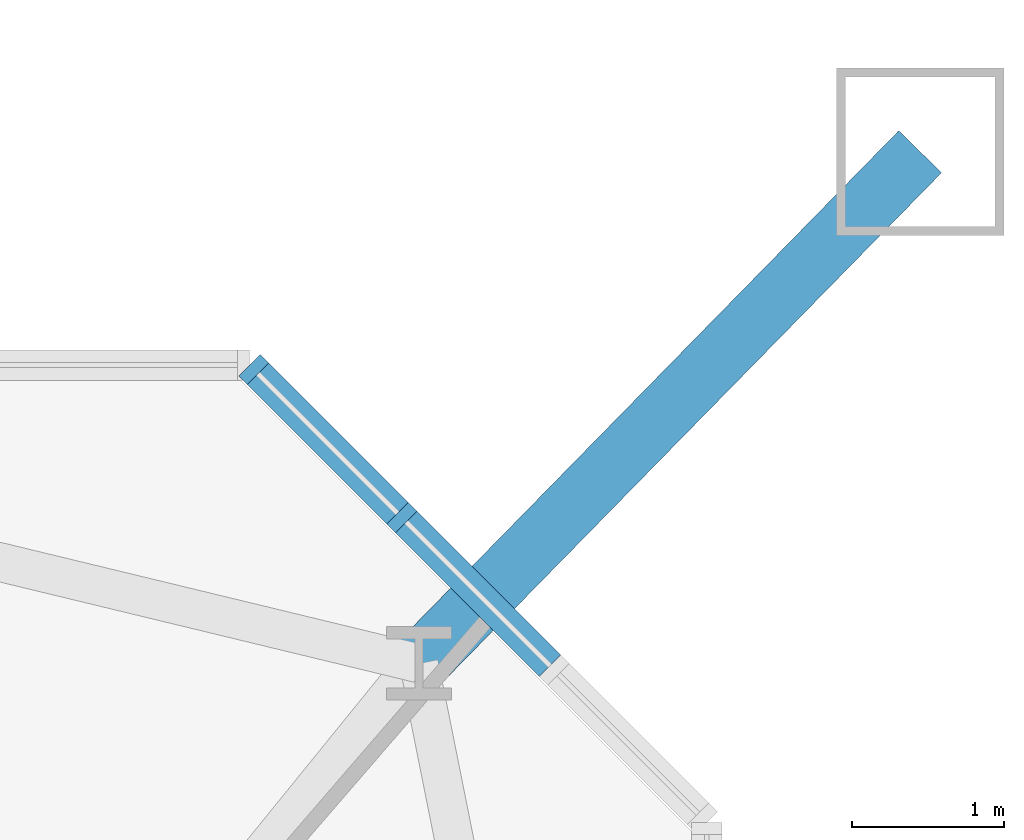
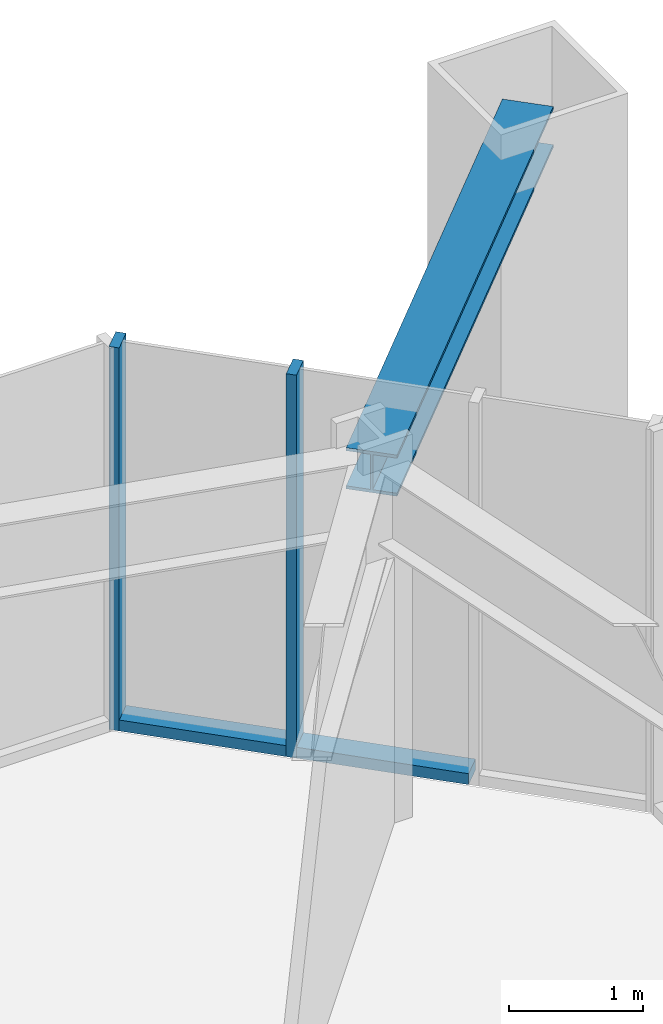
# One storey, part 10 of 25: 5 members, 1 element without a shape of its own.
"""IFC4 building model written with IfcOpenShell, lengths in metres."""

from ifc_helpers import new_model, si_unit, direction, frame, origin, origin_2d, place, context, subcontext, project, spatial, rectangle, i_section, extrude, material, material_profile, profile_set, type_object, element, aggregate, save


model = new_model("IFC4")

# Units and contexts
model_context = context("Model", 3, precision=1e-05, world=origin(), true_north=direction((0.0, 1.0)))
body_context = subcontext(model_context, "Body", "Model", "MODEL_VIEW")
ifc_project = project(units=[si_unit("LENGTHUNIT", "METRE"), si_unit("AREAUNIT", "SQUARE_METRE"), si_unit("VOLUMEUNIT", "CUBIC_METRE"), si_unit("PLANEANGLEUNIT", "RADIAN"), si_unit("MASSUNIT", "GRAM", prefix="KILO")], contexts=[model_context])

# Site, building, storey
site_placement = place(None, origin())
site = spatial("IfcSite", under=ifc_project, at=site_placement, CompositionType="ELEMENT")
building_placement = place(site_placement, origin())
building = spatial("IfcBuilding", under=site, at=building_placement, Name="Iwan Alto Co-Living Towers", CompositionType="ELEMENT")
storey_placement = place(building_placement, frame((0.0, 0.0, 112.0)))
storey = spatial("IfcBuildingStorey", under=building, at=storey_placement, Name="L30", CompositionType="ELEMENT", Elevation=112.0)

# Curtain wall, members
ifc_material_1 = material(Name="Bronze aluminium unitised frame", Category="aluminium")
curtain_wall_type = type_object("IfcCurtainWallType", Name="CURTAIN WALL CW-D", PredefinedType="NOTDEFINED", material=ifc_material_1)
curtain_wall_placement = place(storey_placement, origin())
curtain_wall = element("IfcCurtainWall", 1, at=curtain_wall_placement, inside=storey, type_object=curtain_wall_type, Name="T2 chamfer curtain wall NE L30", PredefinedType="NOTDEFINED")
ifc_material_2 = material(Name="Aluminium 6063-T6 bronze anodised", Category="aluminium")
ifc_material_profile_1 = material_profile(ifc_material_2, rectangle(XDim=0.199951171875, YDim=0.080078125, at=origin_2d()), Name="AL 80X200")
ifc_profile_set_1 = profile_set([ifc_material_profile_1], Name="Aluminium 6063-T6 bronze anodised")
member_type_1 = type_object("IfcMemberType", Name="CW-D MULLION 80X200", PredefinedType="MULLION", material=ifc_profile_set_1)
member_1_placement = place(storey_placement, frame((75.25, 15.5, 0.0), z_axis=(0.0, 0.0, 1.0), x_axis=(-0.707106781187, -0.707106781187, 0.0)))
member_1 = element("IfcMember", 2, at=member_1_placement, type_object=member_type_1, Name="CW-D mullion 3", PredefinedType="MULLION", context=body_context, shape_type="SweptSolid", body=[
    extrude(rectangle(XDim=0.199951171875, YDim=0.080078125, at=origin_2d()), origin(), (0.0, 0.0, 1.0), 3.5),
])
member_2_placement = place(storey_placement, frame((74.2783203125, 16.4716796875, 0.0), z_axis=(0.0, 0.0, 1.0), x_axis=(-0.707106781187, -0.707106781187, 0.0)))
member_2 = element("IfcMember", 3, at=member_2_placement, type_object=member_type_1, Name="CW-D mullion 4", PredefinedType="MULLION", context=body_context, shape_type="SweptSolid", body=[
    extrude(rectangle(XDim=0.199951171875, YDim=0.080078125, at=origin_2d()), origin(), (0.0, 0.0, 1.0), 3.5),
])
ifc_material_3 = material(Name="Aluminium 6063-T6 bronze anodised", Category="aluminium")
ifc_material_profile_2 = material_profile(ifc_material_3, rectangle(XDim=0.199951171875, YDim=0.10009765625, at=origin_2d()), Name="AL 200X100")
ifc_profile_set_2 = profile_set([ifc_material_profile_2], Name="Aluminium 6063-T6 bronze anodised")
member_type_2 = type_object("IfcMemberType", Name="CW-D TRANSOM 200X100", PredefinedType="USERDEFINED", material=ifc_profile_set_2)
member_3_placement = place(storey_placement, frame((76.2216796875, 14.5283203125, 0.050048828125), z_axis=(-0.707106781187, 0.707106781187, 0.0), x_axis=(-0.707106781187, -0.707106781187, 0.0)))
member_3 = element("IfcMember", 4, at=member_3_placement, type_object=member_type_2, Name="CW-D transom 2.1", ObjectType="TRANSOM", PredefinedType="USERDEFINED", context=body_context, shape_type="SweptSolid", body=[
    extrude(rectangle(XDim=0.199951171875, YDim=0.10009765625, at=origin_2d()), origin(), (0.0, 0.0, 1.0), 1.334228515625),
])
member_4_placement = place(storey_placement, frame((75.2216796875, 15.5283203125, 0.050048828125), z_axis=(-0.707106781187, 0.707106781187, 0.0), x_axis=(-0.707106781187, -0.707106781187, 0.0)))
member_4 = element("IfcMember", 5, at=member_4_placement, type_object=member_type_2, Name="CW-D transom 3.1", ObjectType="TRANSOM", PredefinedType="USERDEFINED", context=body_context, shape_type="SweptSolid", body=[
    extrude(rectangle(XDim=0.199951171875, YDim=0.10009765625, at=origin_2d()), origin(), (0.0, 0.0, 1.0), 1.2939453125),
])
aggregate(curtain_wall, [member_1, member_2, member_3, member_4])

# Member
ifc_material_4 = material(Name="Steel ASTM A992 Gr 50", Category="steel")
ifc_material_profile_3 = material_profile(ifc_material_4, i_section(OverallWidth=0.393798828125, OverallDepth=0.3759765625, WebThickness=0.017333984375, FlangeThickness=0.027587890625, at=origin_2d()), Name="W14X145")
ifc_profile_set_3 = profile_set([ifc_material_profile_3], Name="Steel ASTM A992 Gr 50")
member_type_3 = type_object("IfcMemberType", Name="T2 MEGA COLUMN FLOOR TIE W14X145", PredefinedType="STRUT", material=ifc_profile_set_3)
member_5_placement = place(storey_placement, frame((78.64990234375, 17.89990234375, 3.08203125), z_axis=(-0.699770096147, -0.714368121166, 0.0), x_axis=(0.714368121166, -0.699770096147, 0.0)))
element("IfcMember", 6, at=member_5_placement, inside=storey, type_object=member_type_3, Name="T2 mega column floor tie NE L31", PredefinedType="STRUT", context=body_context, shape_type="SweptSolid", body=[
    extrude(i_section(OverallWidth=0.393798828125, OverallDepth=0.3759765625, WebThickness=0.017333984375, FlangeThickness=0.027587890625, at=origin_2d()), origin(), (0.0, 0.0, 1.0), 4.699462890625),
])

save(model, "model.ifc")
